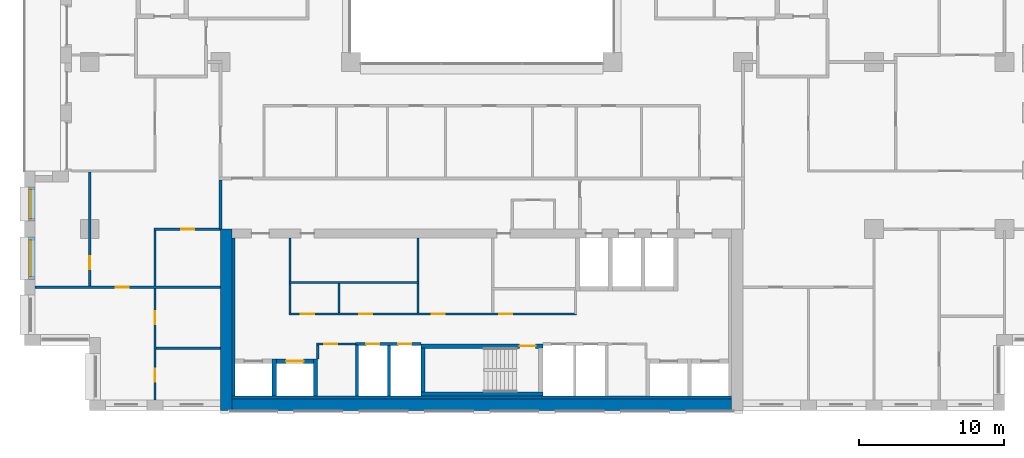
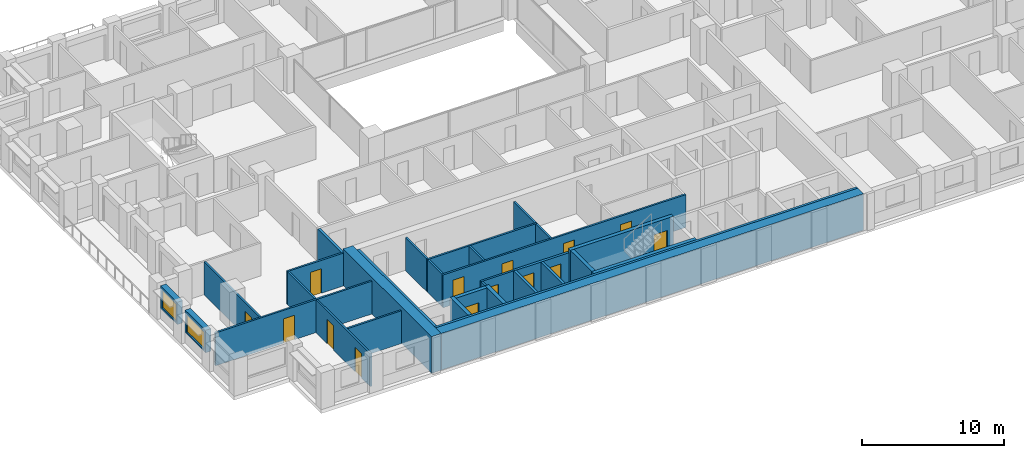
# One storey, part 8 of 16: 31 walls, 14 doors, 2 windows, 16 openings.
"""IFC4 building model written with IfcOpenShell, lengths in metres."""

from ifc_helpers import new_model, si_unit, direction, frame, frame_2d, origin, place, context, subcontext, project, spatial, rectangle, extrude, material, layer, layer_set, type_object, element, fill, save


model = new_model("IFC4")

# Units and contexts
model_context = context("Model", 3, precision=1e-05, world=origin(), true_north=direction((0.0, 1.0)))
body_context = subcontext(model_context, "Body", "Model", "MODEL_VIEW")
ifc_project = project(units=[si_unit("LENGTHUNIT", "METRE"), si_unit("AREAUNIT", "SQUARE_METRE"), si_unit("VOLUMEUNIT", "CUBIC_METRE"), si_unit("PLANEANGLEUNIT", "RADIAN"), si_unit("MASSUNIT", "GRAM", prefix="KILO")], contexts=[model_context])

# Site, building, storey
site_placement = place(None, origin())
site = spatial("IfcSite", under=ifc_project, at=site_placement, CompositionType="ELEMENT")
building_placement = place(site_placement, origin())
building = spatial("IfcBuilding", under=site, at=building_placement, Name="Brigalow Station Residences", CompositionType="ELEMENT")
storey_placement = place(building_placement, frame((0.0, 0.0, 99.300048828125)))
storey = spatial("IfcBuildingStorey", under=building, at=storey_placement, Name="L28", CompositionType="ELEMENT", Elevation=99.300048828125)

# Wall, opening, window
ifc_material_1 = material(Name="Clay brick masonry", Category="masonry")
ifc_layer_1 = layer(ifc_material_1, 0.449951171875)
ifc_layer_set_1 = layer_set([ifc_layer_1], Name="BRICK INFILL WALL 450")
wall_type_1 = type_object("IfcWallType", Name="BRICK INFILL WALL 450", PredefinedType="SOLIDWALL", material=ifc_layer_set_1)
wall_1_placement = place(storey_placement, frame((5.02490234375, 15.39990234375, 0.89990234375), z_axis=(0.0, 0.0, 1.0), x_axis=(0.0, -1.0, 0.0)))
wall_1 = element("IfcWall", 1, at=wall_1_placement, inside=storey, type_object=wall_type_1, Name="L28/ewall/W-L28-47", PredefinedType="SOLIDWALL", context=body_context, shape_type="SweptSolid", body=[
    extrude(rectangle(XDim=2.349853515625, YDim=0.449951171875, at=frame_2d((1.1748046875, 0.0))), origin(), (0.0, 0.0, 1.0), 1.929931640625),
])
opening_1_placement = place(wall_1_placement, frame((0.175048828125, 0.0, 0.14990234375)))
opening_1 = element("IfcOpeningElement", 2, at=opening_1_placement, cuts=wall_1, Name="Opening WT-7", PredefinedType="OPENING", context=body_context, shape_type="SweptSolid", body=[
    extrude(rectangle(XDim=2.0, YDim=1.5, at=frame_2d((1.0, 0.75))), frame((0.0, 0.23486328125, 0.0), z_axis=(0.0, -1.0, 0.0), x_axis=(1.0, 0.0, 0.0)), (0.0, 0.0, 1.0), 0.469970703125),
])
ifc_material_2 = material(Name="Anodised aluminium frame with double glazing", Category="aluminium")
window_type_1 = type_object("IfcWindowType", Name="WINDOW 2000x1500", PartitioningType="SINGLE_PANEL", PredefinedType="WINDOW", material=ifc_material_2)
window_1_placement = place(opening_1_placement, origin())
window_1 = element("IfcWindow", 3, at=window_1_placement, inside=storey, type_object=window_type_1, Name="L28/window/W-L28-47", OverallHeight=1.5, OverallWidth=2.0, PartitioningType="SINGLE_PANEL", PredefinedType="WINDOW", context=body_context, shape_type="SweptSolid", body=[
    extrude(rectangle(XDim=2.0, YDim=1.5, at=frame_2d((1.0, 0.75))), frame((0.0, -0.06494140625, 0.0), z_axis=(0.0, -1.0, 0.0), x_axis=(1.0, 0.0, 0.0)), (0.0, 0.0, 1.0), 0.06005859375),
])
fill(opening_1, window_1)

wall_2_placement = place(storey_placement, frame((5.02490234375, 11.949951171875, 0.89990234375), z_axis=(0.0, 0.0, 1.0), x_axis=(0.0, -1.0, 0.0)))
wall_2 = element("IfcWall", 4, at=wall_2_placement, inside=storey, type_object=wall_type_1, Name="L28/ewall/W-L28-48", PredefinedType="SOLIDWALL", context=body_context, shape_type="SweptSolid", body=[
    extrude(rectangle(XDim=2.89990234375, YDim=0.449951171875, at=frame_2d((1.449951171875, 0.0))), origin(), (0.0, 0.0, 1.0), 1.929931640625),
])
opening_2_placement = place(wall_2_placement, frame((0.199951171875, 0.0, 0.14990234375)))
opening_2 = element("IfcOpeningElement", 5, at=opening_2_placement, cuts=wall_2, Name="Opening WT-5", PredefinedType="OPENING", context=body_context, shape_type="SweptSolid", body=[
    extrude(rectangle(XDim=2.5, YDim=1.5, at=frame_2d((1.25, 0.75))), frame((0.0, 0.23486328125, 0.0), z_axis=(0.0, -1.0, 0.0), x_axis=(1.0, 0.0, 0.0)), (0.0, 0.0, 1.0), 0.469970703125),
])
ifc_material_3 = material(Name="Anodised aluminium frame with double glazing", Category="aluminium")
window_type_2 = type_object("IfcWindowType", Name="WINDOW 2500x1500", PartitioningType="SINGLE_PANEL", PredefinedType="WINDOW", material=ifc_material_3)
window_2_placement = place(opening_2_placement, origin())
window_2 = element("IfcWindow", 6, at=window_2_placement, inside=storey, type_object=window_type_2, Name="L28/window/W-L28-48", OverallHeight=1.5, OverallWidth=2.5, PartitioningType="SINGLE_PANEL", PredefinedType="WINDOW", context=body_context, shape_type="SweptSolid", body=[
    extrude(rectangle(XDim=2.5, YDim=1.5, at=frame_2d((1.25, 0.75))), frame((0.0, -0.06494140625, 0.0), z_axis=(0.0, -1.0, 0.0), x_axis=(1.0, 0.0, 0.0)), (0.0, 0.0, 1.0), 0.06005859375),
])
fill(opening_2, window_2)

# Walls
ifc_material_4 = material(Name="Concrete C65", Category="concrete")
ifc_layer_2 = layer(ifc_material_4, 0.199951171875)
ifc_layer_set_2 = layer_set([ifc_layer_2], Name="CORE SHEAR WALL 200 C65")
wall_type_2 = type_object("IfcWallType", Name="CORE SHEAR WALL 200 C65", PredefinedType="SHEAR", material=ifc_layer_set_2)
wall_3_placement = place(storey_placement, frame((18.89990234375, 1.0, 0.0), z_axis=(0.0, 0.0, 1.0), x_axis=(0.0, 1.0, 0.0)))
element("IfcWall", 7, at=wall_3_placement, inside=storey, type_object=wall_type_2, Name="CORE WALL LIN-W L28", PredefinedType="SHEAR", context=body_context, shape_type="SweptSolid", body=[
    extrude(rectangle(XDim=10.89990234375, YDim=0.199951171875, at=frame_2d((5.449951171875, 0.0))), origin(), (0.0, 0.0, 1.0), 3.14990234375),
])
wall_4_placement = place(storey_placement, frame((18.800048828125, 0.89990234375, 0.0), z_axis=(0.0, 0.0, 1.0), x_axis=(1.0, 0.0, 0.0)))
element("IfcWall", 8, at=wall_4_placement, inside=storey, type_object=wall_type_2, Name="CORE WALL LIN-S L28", PredefinedType="SHEAR", context=body_context, shape_type="SweptSolid", body=[
    extrude(rectangle(XDim=34.39990234375, YDim=0.199951171875, at=frame_2d((17.199951171875, 0.0))), origin(), (0.0, 0.0, 1.0), 3.14990234375),
])

# Wall, opening, door
ifc_material_5 = material(Name="Concrete C65", Category="concrete")
ifc_layer_3 = layer(ifc_material_5, 0.300048828125)
ifc_layer_set_3 = layer_set([ifc_layer_3], Name="CORE SHEAR WALL 300 C65")
wall_type_3 = type_object("IfcWallType", Name="CORE SHEAR WALL 300 C65", PredefinedType="SHEAR", material=ifc_layer_set_3)
wall_5_placement = place(storey_placement, frame((21.85009765625, 3.39990234375, 0.0), z_axis=(0.0, 0.0, 1.0), x_axis=(1.0, 0.0, 0.0)))
wall_5 = element("IfcWall", 9, at=wall_5_placement, inside=storey, type_object=wall_type_3, Name="CORE WALL SH-C2-N L28", PredefinedType="SHEAR", context=body_context, shape_type="SweptSolid", body=[
    extrude(rectangle(XDim=2.5498046875, YDim=0.300048828125, at=frame_2d((1.27490234375, 0.0))), origin(), (0.0, 0.0, 1.0), 3.14990234375),
])
opening_3_placement = place(wall_5_placement, frame((0.675048828125, 0.0, 0.0)))
opening_3 = element("IfcOpeningElement", 10, at=opening_3_placement, cuts=wall_5, Name="Opening LD-LB2", PredefinedType="OPENING", context=body_context, shape_type="SweptSolid", body=[
    extrude(rectangle(XDim=1.199951171875, YDim=2.10009765625, at=frame_2d((0.60009765625, 1.050048828125))), frame((0.0, 0.16015625, 0.0), z_axis=(0.0, -1.0, 0.0), x_axis=(1.0, 0.0, 0.0)), (0.0, 0.0, 1.0), 0.320068359375),
])
ifc_material_6 = material(Name="Stainless steel sliding door leaves", Category="steel")
door_type_1 = type_object("IfcDoorType", Name="LIFT LANDING DOOR 1200 x 2100", OperationType="DOUBLE_DOOR_SLIDING", PredefinedType="DOOR", material=ifc_material_6)
door_1_placement = place(opening_3_placement, origin())
door_1 = element("IfcDoor", 11, at=door_1_placement, inside=storey, type_object=door_type_1, Name="LANDING DOOR LB2", OperationType="DOUBLE_DOOR_SLIDING", OverallHeight=2.10009765625, OverallWidth=1.199951171875, PredefinedType="DOOR", context=body_context, shape_type="SweptSolid", body=[
    extrude(rectangle(XDim=1.199951171875, YDim=2.10009765625, at=frame_2d((0.60009765625, 1.050048828125))), frame((0.0, 0.02490234375, 0.0), z_axis=(0.0, -1.0, 0.0), x_axis=(1.0, 0.0, 0.0)), (0.0, 0.0, 1.0), 0.050048828125),
])
fill(opening_3, door_1)

# Walls
for number, where, z_axis, x_axis, name in (
    (12, (21.699951171875, 1.0, 0.0), (0.0, 0.0, 1.0), (0.0, 1.0, 0.0), "CORE WALL SH-C2-W L28"),
    (13, (24.550048828125, 1.0, 0.0), (0.0, 0.0, 1.0), (0.0, 1.0, 0.0), "CORE WALL SH-C2-E L28"),
):
    element("IfcWall", number, at=place(storey_placement, frame(where, z_axis=z_axis, x_axis=x_axis)), inside=storey, type_object=wall_type_3, Name=name, PredefinedType="SHEAR", context=body_context, shape_type="SweptSolid", body=[
        extrude(rectangle(XDim=2.550048828125, YDim=0.300048828125, at=frame_2d((1.27490234375, 0.0))), origin(), (0.0, 0.0, 1.0), 3.14990234375),
    ])
wall_6_placement = place(storey_placement, frame((31.800048828125, 1.14990234375, 0.0), z_axis=(0.0, 0.0, 1.0), x_axis=(1.0, 0.0, 0.0)))
element("IfcWall", 14, at=wall_6_placement, inside=storey, type_object=wall_type_3, Name="CORE WALL ST-S2-S L28", PredefinedType="SHEAR", context=body_context, shape_type="SweptSolid", body=[
    extrude(rectangle(XDim=8.39990234375, YDim=0.300048828125, at=frame_2d((4.199951171875, 0.0))), origin(), (0.0, 0.0, 1.0), 3.14990234375),
])

# Wall, opening, door
wall_7_placement = place(storey_placement, frame((31.800048828125, 4.449951171875, 0.0), z_axis=(0.0, 0.0, 1.0), x_axis=(1.0, 0.0, 0.0)))
wall_7 = element("IfcWall", 15, at=wall_7_placement, inside=storey, type_object=wall_type_3, Name="CORE WALL ST-S2-N L28", PredefinedType="SHEAR", context=body_context, shape_type="SweptSolid", body=[
    extrude(rectangle(XDim=8.39990234375, YDim=0.300048828125, at=frame_2d((4.199951171875, 0.0))), origin(), (0.0, 0.0, 1.0), 3.14990234375),
])
opening_4_placement = place(wall_7_placement, frame((6.800048828125, 0.0, 0.0)))
opening_4 = element("IfcOpeningElement", 16, at=opening_4_placement, cuts=wall_7, Name="Opening D-5001", PredefinedType="OPENING", context=body_context, shape_type="SweptSolid", body=[
    extrude(rectangle(XDim=1.10009765625, YDim=2.10009765625, at=frame_2d((0.550048828125, 1.050048828125))), frame((0.0, 0.16015625, 0.0), z_axis=(0.0, -1.0, 0.0), x_axis=(1.0, 0.0, 0.0)), (0.0, 0.0, 1.0), 0.320068359375),
])
ifc_material_7 = material(Name="Steel fire door leaf in steel frame", Category="steel")
door_type_2 = type_object("IfcDoorType", Name="STAIR DOOR 1100 x 2100 FD60S", OperationType="SINGLE_SWING_LEFT", PredefinedType="DOOR", material=ifc_material_7)
door_2_placement = place(opening_4_placement, frame((1.10009765625, 0.0, 0.0), z_axis=(0.0, 0.0, 1.0), x_axis=(-1.0, 0.0, 0.0)))
door_2 = element("IfcDoor", 17, at=door_2_placement, inside=storey, type_object=door_type_2, Name="D-5001", OperationType="SINGLE_SWING_LEFT", OverallHeight=2.10009765625, OverallWidth=1.10009765625, PredefinedType="DOOR", context=body_context, shape_type="SweptSolid", body=[
    extrude(rectangle(XDim=1.10009765625, YDim=2.10009765625, at=frame_2d((0.550048828125, 1.050048828125))), frame((0.0, 0.02490234375, 0.0), z_axis=(0.0, -1.0, 0.0), x_axis=(1.0, 0.0, 0.0)), (0.0, 0.0, 1.0), 0.050048828125),
])
fill(opening_4, door_2)

# Walls
wall_8_placement = place(storey_placement, frame((31.949951171875, 1.300048828125, 0.0), z_axis=(0.0, 0.0, 1.0), x_axis=(0.0, 1.0, 0.0)))
element("IfcWall", 18, at=wall_8_placement, inside=storey, type_object=wall_type_3, Name="CORE WALL ST-S2-W L28", PredefinedType="SHEAR", context=body_context, shape_type="SweptSolid", body=[
    extrude(rectangle(XDim=3.0, YDim=0.300048828125, at=frame_2d((1.5, 0.0))), origin(), (0.0, 0.0, 1.0), 3.14990234375),
])
ifc_material_8 = material(Name="Concrete C65", Category="concrete")
ifc_layer_4 = layer(ifc_material_8, 0.800048828125)
ifc_layer_set_4 = layer_set([ifc_layer_4], Name="CORE SHEAR WALL 800 C65")
wall_type_4 = type_object("IfcWallType", Name="CORE SHEAR WALL 800 C65", PredefinedType="SHEAR", material=ifc_layer_set_4)
wall_9_placement = place(storey_placement, frame((18.39990234375, 0.0, 0.0), z_axis=(0.0, 0.0, 1.0), x_axis=(0.0, 1.0, 0.0)))
element("IfcWall", 19, at=wall_9_placement, inside=storey, type_object=wall_type_4, Name="CORE WALL OUT-W L28", PredefinedType="SHEAR", context=body_context, shape_type="SweptSolid", body=[
    extrude(rectangle(XDim=12.5, YDim=0.800048828125, at=frame_2d((6.25, 0.0))), origin(), (0.0, 0.0, 1.0), 3.14990234375),
])
wall_10_placement = place(storey_placement, frame((18.800048828125, 0.39990234375, 0.0), z_axis=(0.0, 0.0, 1.0), x_axis=(1.0, 0.0, 0.0)))
element("IfcWall", 20, at=wall_10_placement, inside=storey, type_object=wall_type_4, Name="CORE WALL OUT-S L28", PredefinedType="SHEAR", context=body_context, shape_type="SweptSolid", body=[
    extrude(rectangle(XDim=34.39990234375, YDim=0.800048828125, at=frame_2d((17.199951171875, 0.0))), origin(), (0.0, 0.0, 1.0), 3.14990234375),
])

# Wall, openings, doors
ifc_material_9 = material(Name="Concrete blockwork", Category="masonry")
ifc_layer_5 = layer(ifc_material_9, 0.199951171875)
ifc_layer_set_5 = layer_set([ifc_layer_5], Name="FIRE RATED CORE PARTITION 200")
wall_type_5 = type_object("IfcWallType", Name="FIRE RATED CORE PARTITION 200", PredefinedType="PARTITIONING", material=ifc_layer_set_5)
wall_11_placement = place(storey_placement, frame((27.300048828125, 4.60009765625, 0.0), z_axis=(0.0, 0.0, 1.0), x_axis=(1.0, 0.0, 0.0)))
wall_11 = element("IfcWall", 21, at=wall_11_placement, inside=storey, type_object=wall_type_5, Name="PW-5017", PredefinedType="PARTITIONING", context=body_context, shape_type="SweptSolid", body=[
    extrude(rectangle(XDim=4.5, YDim=0.199951171875, at=frame_2d((2.25, 0.0))), origin(), (0.0, 0.0, 1.0), 2.829833984375),
])
opening_5_placement = place(wall_11_placement, frame((0.75, 0.0, 0.0)))
opening_5 = element("IfcOpeningElement", 22, at=opening_5_placement, cuts=wall_11, Name="Opening D-5007", PredefinedType="OPENING", context=body_context, shape_type="SweptSolid", body=[
    extrude(rectangle(XDim=0.89990234375, YDim=2.10009765625, at=frame_2d((0.449951171875, 1.050048828125))), frame((0.0, 0.10986328125, 0.0), z_axis=(0.0, -1.0, 0.0), x_axis=(1.0, 0.0, 0.0)), (0.0, 0.0, 1.0), 0.219970703125),
])
opening_6_placement = place(wall_11_placement, frame((2.949951171875, 0.0, 0.0)))
opening_6 = element("IfcOpeningElement", 23, at=opening_6_placement, cuts=wall_11, Name="Opening D-5008", PredefinedType="OPENING", context=body_context, shape_type="SweptSolid", body=[
    extrude(rectangle(XDim=0.89990234375, YDim=2.10009765625, at=frame_2d((0.449951171875, 1.050048828125))), frame((0.0, 0.10986328125, 0.0), z_axis=(0.0, -1.0, 0.0), x_axis=(1.0, 0.0, 0.0)), (0.0, 0.0, 1.0), 0.219970703125),
])
ifc_material_10 = material(Name="Steel fire door leaf in steel frame", Category="steel")
door_type_3 = type_object("IfcDoorType", Name="RISER ACCESS DOOR 900 x 2100 FD120", OperationType="SINGLE_SWING_LEFT", PredefinedType="DOOR", material=ifc_material_10)
door_3_placement = place(opening_5_placement, frame((0.89990234375, 0.0, 0.0), z_axis=(0.0, 0.0, 1.0), x_axis=(-1.0, 0.0, 0.0)))
door_3 = element("IfcDoor", 24, at=door_3_placement, inside=storey, type_object=door_type_3, Name="D-5007", OperationType="SINGLE_SWING_RIGHT", OverallHeight=2.10009765625, OverallWidth=0.89990234375, PredefinedType="DOOR", context=body_context, shape_type="SweptSolid", body=[
    extrude(rectangle(XDim=0.89990234375, YDim=2.10009765625, at=frame_2d((0.449951171875, 1.050048828125))), frame((0.0, 0.02490234375, 0.0), z_axis=(0.0, -1.0, 0.0), x_axis=(1.0, 0.0, 0.0)), (0.0, 0.0, 1.0), 0.050048828125),
])
fill(opening_5, door_3)
door_4_placement = place(opening_6_placement, frame((0.89990234375, 0.0, 0.0), z_axis=(0.0, 0.0, 1.0), x_axis=(-1.0, 0.0, 0.0)))
door_4 = element("IfcDoor", 25, at=door_4_placement, inside=storey, type_object=door_type_3, Name="D-5008", OperationType="SINGLE_SWING_RIGHT", OverallHeight=2.10009765625, OverallWidth=0.89990234375, PredefinedType="DOOR", context=body_context, shape_type="SweptSolid", body=[
    extrude(rectangle(XDim=0.89990234375, YDim=2.10009765625, at=frame_2d((0.449951171875, 1.050048828125))), frame((0.0, 0.02490234375, 0.0), z_axis=(0.0, -1.0, 0.0), x_axis=(1.0, 0.0, 0.0)), (0.0, 0.0, 1.0), 0.050048828125),
])
fill(opening_6, door_4)

# Walls
wall_12_placement = place(storey_placement, frame((27.39990234375, 1.0, 0.0), z_axis=(0.0, 0.0, 1.0), x_axis=(0.0, 1.0, 0.0)))
element("IfcWall", 26, at=wall_12_placement, inside=storey, type_object=wall_type_5, Name="PW-5027", PredefinedType="PARTITIONING", context=body_context, shape_type="SweptSolid", body=[
    extrude(rectangle(XDim=3.52490234375, YDim=0.199951171875, at=frame_2d((1.762451171875, 0.0))), origin(), (0.0, 0.0, 1.0), 2.829833984375),
])
wall_13_placement = place(storey_placement, frame((29.60009765625, 1.0, 0.0), z_axis=(0.0, 0.0, 1.0), x_axis=(0.0, 1.0, 0.0)))
element("IfcWall", 27, at=wall_13_placement, inside=storey, type_object=wall_type_5, Name="PW-5006", PredefinedType="PARTITIONING", context=body_context, shape_type="SweptSolid", body=[
    extrude(rectangle(XDim=3.5, YDim=0.199951171875, at=frame_2d((1.75, 0.0))), origin(), (0.0, 0.0, 1.0), 2.829833984375),
])
wall_14_placement = place(storey_placement, frame((18.0, 12.5, 0.0), z_axis=(0.0, 0.0, 1.0), x_axis=(0.0, 1.0, 0.0)))
element("IfcWall", 28, at=wall_14_placement, inside=storey, type_object=wall_type_5, Name="PW-5013", PredefinedType="PARTITIONING", context=body_context, shape_type="SweptSolid", body=[
    extrude(rectangle(XDim=3.39990234375, YDim=0.199951171875, at=frame_2d((1.699951171875, 0.0))), origin(), (0.0, 0.0, 1.0), 2.829833984375),
])

# Wall, opening, door
ifc_material_11 = material(Name="Plasterboard on steel stud partition", Category="steel")
ifc_layer_6 = layer(ifc_material_11, 0.14990234375)
ifc_layer_set_6 = layer_set([ifc_layer_6], Name="FLAT PARTITION 150")
wall_type_6 = type_object("IfcWallType", Name="FLAT PARTITION 150", PredefinedType="PARTITIONING", material=ifc_layer_set_6)
wall_15_placement = place(storey_placement, frame((5.25, 8.5, 0.0), z_axis=(0.0, 0.0, 1.0), x_axis=(1.0, 0.0, 0.0)))
wall_15 = element("IfcWall", 29, at=wall_15_placement, inside=storey, type_object=wall_type_6, Name="PW-2B11", PredefinedType="PARTITIONING", context=body_context, shape_type="SweptSolid", body=[
    extrude(rectangle(XDim=12.75, YDim=0.14990234375, at=frame_2d((6.375, 0.0))), origin(), (0.0, 0.0, 1.0), 2.829833984375),
])
opening_7_placement = place(wall_15_placement, frame((5.550048828125, 0.0, 0.0)))
opening_7 = element("IfcOpeningElement", 30, at=opening_7_placement, cuts=wall_15, Name="Opening D-2B04", PredefinedType="OPENING", context=body_context, shape_type="SweptSolid", body=[
    extrude(rectangle(XDim=0.89990234375, YDim=2.10009765625, at=frame_2d((0.449951171875, 1.050048828125))), frame((0.0, 0.0849609375, 0.0), z_axis=(0.0, -1.0, 0.0), x_axis=(1.0, 0.0, 0.0)), (0.0, 0.0, 1.0), 0.169921875),
])
ifc_material_12 = material(Name="Solid-core timber door leaf", Category="wood")
door_type_4 = type_object("IfcDoorType", Name="INTERNAL DOOR 900 x 2100", OperationType="SINGLE_SWING_LEFT", PredefinedType="DOOR", material=ifc_material_12)
door_5_placement = place(opening_7_placement, frame((0.89990234375, 0.0, 0.0), z_axis=(0.0, 0.0, 1.0), x_axis=(-1.0, 0.0, 0.0)))
door_5 = element("IfcDoor", 31, at=door_5_placement, inside=storey, type_object=door_type_4, Name="D-2B04", OperationType="SINGLE_SWING_LEFT", OverallHeight=2.10009765625, OverallWidth=0.89990234375, PredefinedType="DOOR", context=body_context, shape_type="SweptSolid", body=[
    extrude(rectangle(XDim=0.89990234375, YDim=2.10009765625, at=frame_2d((0.449951171875, 1.050048828125))), frame((0.0, 0.02490234375, 0.0), z_axis=(0.0, -1.0, 0.0), x_axis=(1.0, 0.0, 0.0)), (0.0, 0.0, 1.0), 0.050048828125),
])
fill(opening_7, door_5)

# Wall
wall_16_placement = place(storey_placement, frame((13.574951171875, 4.300048828125, 0.0), z_axis=(0.0, 0.0, 1.0), x_axis=(1.0, 0.0, 0.0)))
element("IfcWall", 32, at=wall_16_placement, inside=storey, type_object=wall_type_6, Name="PW-2B13", PredefinedType="PARTITIONING", context=body_context, shape_type="SweptSolid", body=[
    extrude(rectangle(XDim=4.425048828125, YDim=0.14990234375, at=frame_2d((2.21240234375, 0.0))), origin(), (0.0, 0.0, 1.0), 2.829833984375),
])

# Wall, opening, door
wall_17_placement = place(storey_placement, frame((13.425048828125, 12.5, 0.0), z_axis=(0.0, 0.0, 1.0), x_axis=(1.0, 0.0, 0.0)))
wall_17 = element("IfcWall", 33, at=wall_17_placement, inside=storey, type_object=wall_type_6, Name="PW-2B16", PredefinedType="PARTITIONING", context=body_context, shape_type="SweptSolid", body=[
    extrude(rectangle(XDim=4.574951171875, YDim=0.14990234375, at=frame_2d((2.28759765625, 0.0))), origin(), (0.0, 0.0, 1.0), 2.829833984375),
])
opening_8_placement = place(wall_17_placement, frame((1.875, 0.0, 0.0)))
opening_8 = element("IfcOpeningElement", 34, at=opening_8_placement, cuts=wall_17, Name="Opening D-2B08", PredefinedType="OPENING", context=body_context, shape_type="SweptSolid", body=[
    extrude(rectangle(XDim=0.89990234375, YDim=2.10009765625, at=frame_2d((0.449951171875, 1.050048828125))), frame((0.0, 0.0849609375, 0.0), z_axis=(0.0, -1.0, 0.0), x_axis=(1.0, 0.0, 0.0)), (0.0, 0.0, 1.0), 0.169921875),
])
door_6_placement = place(opening_8_placement, frame((0.89990234375, 0.0, 0.0), z_axis=(0.0, 0.0, 1.0), x_axis=(-1.0, 0.0, 0.0)))
door_6 = element("IfcDoor", 35, at=door_6_placement, inside=storey, type_object=door_type_4, Name="D-2B08", OperationType="SINGLE_SWING_RIGHT", OverallHeight=2.10009765625, OverallWidth=0.89990234375, PredefinedType="DOOR", context=body_context, shape_type="SweptSolid", body=[
    extrude(rectangle(XDim=0.89990234375, YDim=2.10009765625, at=frame_2d((0.449951171875, 1.050048828125))), frame((0.0, 0.02490234375, 0.0), z_axis=(0.0, -1.0, 0.0), x_axis=(1.0, 0.0, 0.0)), (0.0, 0.0, 1.0), 0.050048828125),
])
fill(opening_8, door_6)

# Wall, openings, doors
wall_18_placement = place(storey_placement, frame((13.5, 0.75, 0.0), z_axis=(0.0, 0.0, 1.0), x_axis=(0.0, 1.0, 0.0)))
wall_18 = element("IfcWall", 36, at=wall_18_placement, inside=storey, type_object=wall_type_6, Name="PW-2B45", PredefinedType="PARTITIONING", context=body_context, shape_type="SweptSolid", body=[
    extrude(rectangle(XDim=7.675048828125, YDim=0.14990234375, at=frame_2d((3.83740234375, 0.0))), origin(), (0.0, 0.0, 1.0), 2.829833984375),
])
opening_9_placement = place(wall_18_placement, frame((1.25, 0.0, 0.0)))
opening_9 = element("IfcOpeningElement", 37, at=opening_9_placement, cuts=wall_18, Name="Opening D-2B05", PredefinedType="OPENING", context=body_context, shape_type="SweptSolid", body=[
    extrude(rectangle(XDim=0.89990234375, YDim=2.10009765625, at=frame_2d((0.449951171875, 1.050048828125))), frame((0.0, 0.0849609375, 0.0), z_axis=(0.0, -1.0, 0.0), x_axis=(1.0, 0.0, 0.0)), (0.0, 0.0, 1.0), 0.169921875),
])
opening_10_placement = place(wall_18_placement, frame((5.199951171875, 0.0, 0.0)))
opening_10 = element("IfcOpeningElement", 38, at=opening_10_placement, cuts=wall_18, Name="Opening D-2B06", PredefinedType="OPENING", context=body_context, shape_type="SweptSolid", body=[
    extrude(rectangle(XDim=0.89990234375, YDim=2.10009765625, at=frame_2d((0.449951171875, 1.050048828125))), frame((0.0, 0.0849609375, 0.0), z_axis=(0.0, -1.0, 0.0), x_axis=(1.0, 0.0, 0.0)), (0.0, 0.0, 1.0), 0.169921875),
])
door_7_placement = place(opening_9_placement, frame((0.89990234375, 0.0, 0.0), z_axis=(0.0, 0.0, 1.0), x_axis=(-1.0, 0.0, 0.0)))
door_7 = element("IfcDoor", 39, at=door_7_placement, inside=storey, type_object=door_type_4, Name="D-2B05", OperationType="SINGLE_SWING_RIGHT", OverallHeight=2.10009765625, OverallWidth=0.89990234375, PredefinedType="DOOR", context=body_context, shape_type="SweptSolid", body=[
    extrude(rectangle(XDim=0.89990234375, YDim=2.10009765625, at=frame_2d((0.449951171875, 1.050048828125))), frame((0.0, 0.02490234375, 0.0), z_axis=(0.0, -1.0, 0.0), x_axis=(1.0, 0.0, 0.0)), (0.0, 0.0, 1.0), 0.050048828125),
])
fill(opening_9, door_7)
door_8_placement = place(opening_10_placement, frame((0.89990234375, 0.0, 0.0), z_axis=(0.0, 0.0, 1.0), x_axis=(-1.0, 0.0, 0.0)))
door_8 = element("IfcDoor", 40, at=door_8_placement, inside=storey, type_object=door_type_4, Name="D-2B06", OperationType="SINGLE_SWING_LEFT", OverallHeight=2.10009765625, OverallWidth=0.89990234375, PredefinedType="DOOR", context=body_context, shape_type="SweptSolid", body=[
    extrude(rectangle(XDim=0.89990234375, YDim=2.10009765625, at=frame_2d((0.449951171875, 1.050048828125))), frame((0.0, 0.02490234375, 0.0), z_axis=(0.0, -1.0, 0.0), x_axis=(1.0, 0.0, 0.0)), (0.0, 0.0, 1.0), 0.050048828125),
])
fill(opening_10, door_8)

# Wall
wall_19_placement = place(storey_placement, frame((13.5, 8.574951171875, 0.0), z_axis=(0.0, 0.0, 1.0), x_axis=(0.0, 1.0, 0.0)))
element("IfcWall", 41, at=wall_19_placement, inside=storey, type_object=wall_type_6, Name="PW-2B46", PredefinedType="PARTITIONING", context=body_context, shape_type="SweptSolid", body=[
    extrude(rectangle(XDim=3.85009765625, YDim=0.14990234375, at=frame_2d((1.925048828125, 0.0))), origin(), (0.0, 0.0, 1.0), 2.829833984375),
])

# Wall, opening, door
wall_20_placement = place(storey_placement, frame((9.0, 8.574951171875, 0.0), z_axis=(0.0, 0.0, 1.0), x_axis=(0.0, 1.0, 0.0)))
wall_20 = element("IfcWall", 42, at=wall_20_placement, inside=storey, type_object=wall_type_6, Name="PW-2B49", PredefinedType="PARTITIONING", context=body_context, shape_type="SweptSolid", body=[
    extrude(rectangle(XDim=7.85009765625, YDim=0.14990234375, at=frame_2d((3.925048828125, 0.0))), origin(), (0.0, 0.0, 1.0), 2.829833984375),
])
opening_11_placement = place(wall_20_placement, frame((1.14990234375, 0.0, 0.0)))
opening_11 = element("IfcOpeningElement", 43, at=opening_11_placement, cuts=wall_20, Name="Opening D-2B07", PredefinedType="OPENING", context=body_context, shape_type="SweptSolid", body=[
    extrude(rectangle(XDim=0.89990234375, YDim=2.10009765625, at=frame_2d((0.449951171875, 1.050048828125))), frame((0.0, 0.0849609375, 0.0), z_axis=(0.0, -1.0, 0.0), x_axis=(1.0, 0.0, 0.0)), (0.0, 0.0, 1.0), 0.169921875),
])
door_9_placement = place(opening_11_placement, origin())
door_9 = element("IfcDoor", 44, at=door_9_placement, inside=storey, type_object=door_type_4, Name="D-2B07", OperationType="SINGLE_SWING_LEFT", OverallHeight=2.10009765625, OverallWidth=0.89990234375, PredefinedType="DOOR", context=body_context, shape_type="SweptSolid", body=[
    extrude(rectangle(XDim=0.89990234375, YDim=2.10009765625, at=frame_2d((0.449951171875, 1.050048828125))), frame((0.0, 0.02490234375, 0.0), z_axis=(0.0, -1.0, 0.0), x_axis=(1.0, 0.0, 0.0)), (0.0, 0.0, 1.0), 0.050048828125),
])
fill(opening_11, door_9)

ifc_material_13 = material(Name="Plasterboard on steel studs", Category="steel")
ifc_layer_7 = layer(ifc_material_13, 0.14990234375)
ifc_layer_set_7 = layer_set([ifc_layer_7], Name="SERVICE ROOM PARTITION 150")
wall_type_7 = type_object("IfcWallType", Name="SERVICE ROOM PARTITION 150", PredefinedType="PARTITIONING", material=ifc_layer_set_7)
wall_21_placement = place(storey_placement, frame((24.625, 4.60009765625, 0.0), z_axis=(0.0, 0.0, 1.0), x_axis=(1.0, 0.0, 0.0)))
wall_21 = element("IfcWall", 45, at=wall_21_placement, inside=storey, type_object=wall_type_7, Name="PW-5155", PredefinedType="PARTITIONING", context=body_context, shape_type="SweptSolid", body=[
    extrude(rectangle(XDim=2.675048828125, YDim=0.14990234375, at=frame_2d((1.33740234375, 0.0))), origin(), (0.0, 0.0, 1.0), 2.829833984375),
])
opening_12_placement = place(wall_21_placement, frame((0.52490234375, 0.0, 0.0)))
opening_12 = element("IfcOpeningElement", 46, at=opening_12_placement, cuts=wall_21, Name="Opening D-5087", PredefinedType="OPENING", context=body_context, shape_type="SweptSolid", body=[
    extrude(rectangle(XDim=0.89990234375, YDim=2.10009765625, at=frame_2d((0.449951171875, 1.050048828125))), frame((0.0, 0.0849609375, 0.0), z_axis=(0.0, -1.0, 0.0), x_axis=(1.0, 0.0, 0.0)), (0.0, 0.0, 1.0), 0.169921875),
])
ifc_material_14 = material(Name="Steel door leaf in steel frame", Category="steel")
door_type_5 = type_object("IfcDoorType", Name="SERVICE ROOM DOOR 900 x 2100 FD60", OperationType="SINGLE_SWING_LEFT", PredefinedType="DOOR", material=ifc_material_14)
door_10_placement = place(opening_12_placement, frame((0.89990234375, 0.0, 0.0), z_axis=(0.0, 0.0, 1.0), x_axis=(-1.0, 0.0, 0.0)))
door_10 = element("IfcDoor", 47, at=door_10_placement, inside=storey, type_object=door_type_5, Name="D-5087", OperationType="SINGLE_SWING_RIGHT", OverallHeight=2.10009765625, OverallWidth=0.89990234375, PredefinedType="DOOR", context=body_context, shape_type="SweptSolid", body=[
    extrude(rectangle(XDim=0.89990234375, YDim=2.10009765625, at=frame_2d((0.449951171875, 1.050048828125))), frame((0.0, 0.02490234375, 0.0), z_axis=(0.0, -1.0, 0.0), x_axis=(1.0, 0.0, 0.0)), (0.0, 0.0, 1.0), 0.050048828125),
])
fill(opening_12, door_10)

# Wall, openings, doors
wall_22_placement = place(storey_placement, frame((22.72509765625, 6.64990234375, 0.0), z_axis=(0.0, 0.0, 1.0), x_axis=(1.0, 0.0, 0.0)))
wall_22 = element("IfcWall", 48, at=wall_22_placement, inside=storey, type_object=wall_type_7, Name="PW-5195", PredefinedType="PARTITIONING", context=body_context, shape_type="SweptSolid", body=[
    extrude(rectangle(XDim=19.7998046875, YDim=0.14990234375, at=frame_2d((9.89990234375, 0.0))), origin(), (0.0, 0.0, 1.0), 2.829833984375),
])
opening_13_placement = place(wall_22_placement, frame((0.824951171875, 0.0, 0.0)))
opening_13 = element("IfcOpeningElement", 49, at=opening_13_placement, cuts=wall_22, Name="Opening D-5110", PredefinedType="OPENING", context=body_context, shape_type="SweptSolid", body=[
    extrude(rectangle(XDim=0.89990234375, YDim=2.10009765625, at=frame_2d((0.449951171875, 1.050048828125))), frame((0.0, 0.0849609375, 0.0), z_axis=(0.0, -1.0, 0.0), x_axis=(1.0, 0.0, 0.0)), (0.0, 0.0, 1.0), 0.169921875),
])
opening_14_placement = place(wall_22_placement, frame((4.824951171875, 0.0, 0.0)))
opening_14 = element("IfcOpeningElement", 50, at=opening_14_placement, cuts=wall_22, Name="Opening D-5116", PredefinedType="OPENING", context=body_context, shape_type="SweptSolid", body=[
    extrude(rectangle(XDim=0.89990234375, YDim=2.10009765625, at=frame_2d((0.449951171875, 1.050048828125))), frame((0.0, 0.0849609375, 0.0), z_axis=(0.0, -1.0, 0.0), x_axis=(1.0, 0.0, 0.0)), (0.0, 0.0, 1.0), 0.169921875),
])
opening_15_placement = place(wall_22_placement, frame((9.824951171875, 0.0, 0.0)))
opening_15 = element("IfcOpeningElement", 51, at=opening_15_placement, cuts=wall_22, Name="Opening D-5117", PredefinedType="OPENING", context=body_context, shape_type="SweptSolid", body=[
    extrude(rectangle(XDim=0.89990234375, YDim=2.10009765625, at=frame_2d((0.449951171875, 1.050048828125))), frame((0.0, 0.0849609375, 0.0), z_axis=(0.0, -1.0, 0.0), x_axis=(1.0, 0.0, 0.0)), (0.0, 0.0, 1.0), 0.169921875),
])
opening_16_placement = place(wall_22_placement, frame((14.47509765625, 0.0, 0.0)))
opening_16 = element("IfcOpeningElement", 52, at=opening_16_placement, cuts=wall_22, Name="Opening D-5114", PredefinedType="OPENING", context=body_context, shape_type="SweptSolid", body=[
    extrude(rectangle(XDim=0.89990234375, YDim=2.10009765625, at=frame_2d((0.449951171875, 1.050048828125))), frame((0.0, 0.0849609375, 0.0), z_axis=(0.0, -1.0, 0.0), x_axis=(1.0, 0.0, 0.0)), (0.0, 0.0, 1.0), 0.169921875),
])
door_11_placement = place(opening_13_placement, origin())
door_11 = element("IfcDoor", 53, at=door_11_placement, inside=storey, type_object=door_type_5, Name="D-5110", OperationType="SINGLE_SWING_LEFT", OverallHeight=2.10009765625, OverallWidth=0.89990234375, PredefinedType="DOOR", context=body_context, shape_type="SweptSolid", body=[
    extrude(rectangle(XDim=0.89990234375, YDim=2.10009765625, at=frame_2d((0.449951171875, 1.050048828125))), frame((0.0, 0.02490234375, 0.0), z_axis=(0.0, -1.0, 0.0), x_axis=(1.0, 0.0, 0.0)), (0.0, 0.0, 1.0), 0.050048828125),
])
fill(opening_13, door_11)
door_12_placement = place(opening_14_placement, origin())
door_12 = element("IfcDoor", 54, at=door_12_placement, inside=storey, type_object=door_type_5, Name="D-5116", OperationType="SINGLE_SWING_LEFT", OverallHeight=2.10009765625, OverallWidth=0.89990234375, PredefinedType="DOOR", context=body_context, shape_type="SweptSolid", body=[
    extrude(rectangle(XDim=0.89990234375, YDim=2.10009765625, at=frame_2d((0.449951171875, 1.050048828125))), frame((0.0, 0.02490234375, 0.0), z_axis=(0.0, -1.0, 0.0), x_axis=(1.0, 0.0, 0.0)), (0.0, 0.0, 1.0), 0.050048828125),
])
fill(opening_14, door_12)
door_13_placement = place(opening_15_placement, origin())
door_13 = element("IfcDoor", 55, at=door_13_placement, inside=storey, type_object=door_type_5, Name="D-5117", OperationType="SINGLE_SWING_LEFT", OverallHeight=2.10009765625, OverallWidth=0.89990234375, PredefinedType="DOOR", context=body_context, shape_type="SweptSolid", body=[
    extrude(rectangle(XDim=0.89990234375, YDim=2.10009765625, at=frame_2d((0.449951171875, 1.050048828125))), frame((0.0, 0.02490234375, 0.0), z_axis=(0.0, -1.0, 0.0), x_axis=(1.0, 0.0, 0.0)), (0.0, 0.0, 1.0), 0.050048828125),
])
fill(opening_15, door_13)
door_14_placement = place(opening_16_placement, origin())
door_14 = element("IfcDoor", 56, at=door_14_placement, inside=storey, type_object=door_type_5, Name="D-5114", OperationType="SINGLE_SWING_LEFT", OverallHeight=2.10009765625, OverallWidth=0.89990234375, PredefinedType="DOOR", context=body_context, shape_type="SweptSolid", body=[
    extrude(rectangle(XDim=0.89990234375, YDim=2.10009765625, at=frame_2d((0.449951171875, 1.050048828125))), frame((0.0, 0.02490234375, 0.0), z_axis=(0.0, -1.0, 0.0), x_axis=(1.0, 0.0, 0.0)), (0.0, 0.0, 1.0), 0.050048828125),
])
fill(opening_16, door_14)

# Walls
wall_23_placement = place(storey_placement, frame((22.72509765625, 8.830078125, 0.0), z_axis=(0.0, 0.0, 1.0), x_axis=(1.0, 0.0, 0.0)))
element("IfcWall", 57, at=wall_23_placement, inside=storey, type_object=wall_type_7, Name="PW-5205", PredefinedType="PARTITIONING", context=body_context, shape_type="SweptSolid", body=[
    extrude(rectangle(XDim=8.9599609375, YDim=0.14990234375, at=frame_2d((4.47998046875, 0.0))), origin(), (0.0, 0.0, 1.0), 2.829833984375),
])
wall_24_placement = place(storey_placement, frame((24.699951171875, 3.550048828125, 0.0), z_axis=(0.0, 0.0, 1.0), x_axis=(0.0, 1.0, 0.0)))
element("IfcWall", 58, at=wall_24_placement, inside=storey, type_object=wall_type_7, Name="PW-5157", PredefinedType="PARTITIONING", context=body_context, shape_type="SweptSolid", body=[
    extrude(rectangle(XDim=0.974853515625, YDim=0.14990234375, at=frame_2d((0.4873046875, 0.0))), origin(), (0.0, 0.0, 1.0), 2.829833984375),
])
for number, where, z_axis, x_axis, name in (
    (59, (22.800048828125, 6.72509765625, 0.0), (0.0, 0.0, 1.0), (0.0, 1.0, 0.0), "PW-5207"),
    (60, (26.169921875, 6.72509765625, 0.0), (0.0, 0.0, 1.0), (0.0, 1.0, 0.0), "PW-5208"),
    (61, (31.610107421875, 6.72509765625, 0.0), (0.0, 0.0, 1.0), (0.0, 1.0, 0.0), "PW-5209"),
):
    element("IfcWall", number, at=place(storey_placement, frame(where, z_axis=z_axis, x_axis=x_axis)), inside=storey, type_object=wall_type_7, Name=name, PredefinedType="PARTITIONING", context=body_context, shape_type="SweptSolid", body=[
        extrude(rectangle(XDim=2.02978515625, YDim=0.14990234375, at=frame_2d((1.014892578125, 0.0))), origin(), (0.0, 0.0, 1.0), 2.829833984375),
    ])
for number, where, z_axis, x_axis, name in (
    (62, (22.800048828125, 8.905029296875, 0.0), (0.0, 0.0, 1.0), (0.0, 1.0, 0.0), "PW-5212"),
    (63, (31.610107421875, 8.905029296875, 0.0), (0.0, 0.0, 1.0), (0.0, 1.0, 0.0), "PW-5213"),
):
    element("IfcWall", number, at=place(storey_placement, frame(where, z_axis=z_axis, x_axis=x_axis)), inside=storey, type_object=wall_type_7, Name=name, PredefinedType="PARTITIONING", context=body_context, shape_type="SweptSolid", body=[
        extrude(rectangle(XDim=2.994873046875, YDim=0.14990234375, at=frame_2d((1.49755859375, 0.0))), origin(), (0.0, 0.0, 1.0), 2.829833984375),
    ])

save(model, "model.ifc")
